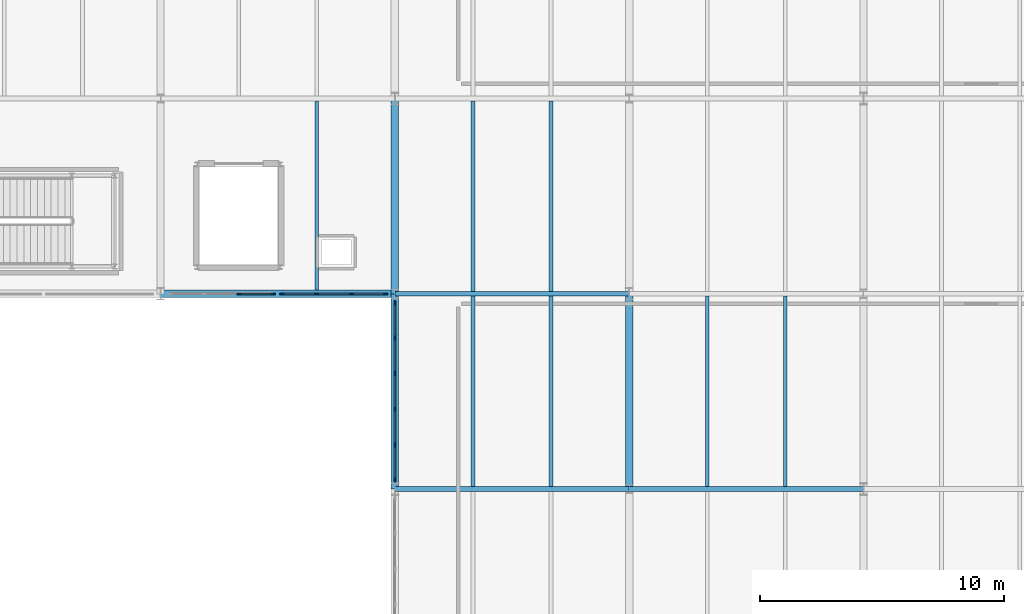
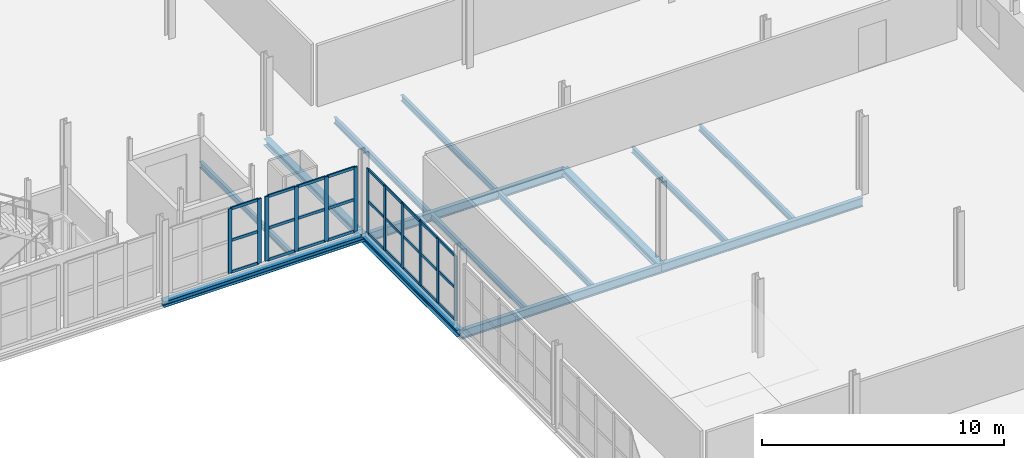
# One storey, part 46 of 78: 39 members, 14 beams, 3 elements without a shape of their own.
"""IFC4 building model written with IfcOpenShell, lengths in metres."""

from ifc_helpers import new_model, si_unit, direction, frame, origin, origin_2d, place, context, subcontext, project, spatial, rectangle, i_section, extrude, material, layer, layer_set, material_profile, profile_set, type_object, element, aggregate, save


model = new_model("IFC4")

# Units and contexts
model_context = context("Model", 3, precision=1e-05, world=origin(), true_north=direction((0.0, 1.0)))
body_context = subcontext(model_context, "Body", "Model", "MODEL_VIEW")
ifc_project = project(units=[si_unit("LENGTHUNIT", "METRE"), si_unit("AREAUNIT", "SQUARE_METRE"), si_unit("VOLUMEUNIT", "CUBIC_METRE"), si_unit("PLANEANGLEUNIT", "RADIAN"), si_unit("MASSUNIT", "GRAM", prefix="KILO")], contexts=[model_context])

# Site, building, storey
site_placement = place(None, origin())
site = spatial("IfcSite", under=ifc_project, at=site_placement, CompositionType="ELEMENT")
building_placement = place(site_placement, origin())
building = spatial("IfcBuilding", under=site, at=building_placement, Name="Alderhovde Museum", CompositionType="ELEMENT")
storey_placement = place(building_placement, frame((0.0, 0.0, 4.5)))
storey = spatial("IfcBuildingStorey", under=building, at=storey_placement, Name="L01", CompositionType="ELEMENT", Elevation=4.5)

# Beams
ifc_material_1 = material(Name="Steel S355J2", Category="steel")
ifc_material_profile_1 = material_profile(ifc_material_1, i_section(OverallWidth=0.300048828125, OverallDepth=0.330078125, WebThickness=0.009521484375, FlangeThickness=0.0166015625, FilletRadius=0.027099609375, at=origin_2d()), Name="HEA 340")
ifc_profile_set_1 = profile_set([ifc_material_profile_1], Name="Steel S355J2")
beam_type_1 = type_object("IfcBeamType", Name="BM-HEA340", PredefinedType="BEAM", material=ifc_profile_set_1)
for number, where, z_axis, x_axis, name in (
    (1, (144.0, 64.0, -0.425048828125), (0.0, 1.0, 0.0), (-1.0, 0.0, 0.0), "L01 Grid Beam X=144.0 (64.0 TO 72.0)"),
    (2, (144.0, 72.0, -0.425048828125), (0.0, 1.0, 0.0), (-1.0, 0.0, 0.0), "L01 Grid Beam X=144.0 (72.0 TO 80.0)"),
    (3, (153.60009765625, 64.0, -0.425048828125), (0.0, 1.0, 0.0), (-1.0, 0.0, 0.0), "L01 Grid Beam X=153.6 (64.0 TO 72.0)"),
):
    element("IfcBeam", number, at=place(storey_placement, frame(where, z_axis=z_axis, x_axis=x_axis)), inside=storey, type_object=beam_type_1, Name=name, PredefinedType="BEAM", context=body_context, shape_type="SweptSolid", body=[
        extrude(i_section(OverallWidth=0.300048828125, OverallDepth=0.330078125, WebThickness=0.009521484375, FlangeThickness=0.0166015625, FilletRadius=0.027099609375, at=origin_2d()), origin(), (0.0, 0.0, 1.0), 8.0),
    ])
ifc_material_2 = material(Name="Steel S355J2", Category="steel")
ifc_material_profile_2 = material_profile(ifc_material_2, i_section(OverallWidth=0.18994140625, OverallDepth=0.449951171875, WebThickness=0.009521484375, FlangeThickness=0.0146484375, FilletRadius=0.02099609375, at=origin_2d()), Name="IPE 450")
ifc_profile_set_2 = profile_set([ifc_material_profile_2], Name="Steel S355J2")
beam_type_2 = type_object("IfcBeamType", Name="BM-IPE450", PredefinedType="BEAM", material=ifc_profile_set_2)
beam_1_placement = place(storey_placement, frame((144.0, 64.0, -0.485107421875), z_axis=(1.0, 0.0, 0.0), x_axis=(0.0, 1.0, 0.0)))
element("IfcBeam", 4, at=beam_1_placement, inside=storey, type_object=beam_type_2, Name="L01 Grid Beam Y=64.0 (144.0 TO 153.6)", PredefinedType="BEAM", context=body_context, shape_type="SweptSolid", body=[
    extrude(i_section(OverallWidth=0.18994140625, OverallDepth=0.449951171875, WebThickness=0.009521484375, FlangeThickness=0.0146484375, FilletRadius=0.02099609375, at=origin_2d()), origin(), (0.0, 0.0, 1.0), 9.60009765625),
])
beam_2_placement = place(storey_placement, frame((153.60009765625, 64.0, -0.485107421875), z_axis=(1.0, 0.0, 0.0), x_axis=(0.0, 1.0, 0.0)))
element("IfcBeam", 5, at=beam_2_placement, inside=storey, type_object=beam_type_2, Name="L01 Grid Beam Y=64.0 (153.6 TO 163.2)", PredefinedType="BEAM", context=body_context, shape_type="SweptSolid", body=[
    extrude(i_section(OverallWidth=0.18994140625, OverallDepth=0.449951171875, WebThickness=0.009521484375, FlangeThickness=0.0146484375, FilletRadius=0.02099609375, at=origin_2d()), origin(), (0.0, 0.0, 1.0), 9.599853515625),
])
beam_3_placement = place(storey_placement, frame((144.0, 72.0, -0.485107421875), z_axis=(1.0, 0.0, 0.0), x_axis=(0.0, 1.0, 0.0)))
element("IfcBeam", 6, at=beam_3_placement, inside=storey, type_object=beam_type_2, Name="L01 Grid Beam Y=72.0 (144.0 TO 153.6)", PredefinedType="BEAM", context=body_context, shape_type="SweptSolid", body=[
    extrude(i_section(OverallWidth=0.18994140625, OverallDepth=0.449951171875, WebThickness=0.009521484375, FlangeThickness=0.0146484375, FilletRadius=0.02099609375, at=origin_2d()), origin(), (0.0, 0.0, 1.0), 9.60009765625),
])

# Curtain wall, members
ifc_material_3 = material(Name="Triple-Glazed Bronze-Anodised Curtain Wall", Category="glass")
ifc_layer_1 = layer(ifc_material_3, 0.179931640625)
ifc_layer_set_1 = layer_set([ifc_layer_1], Name="Triple-Glazed Bronze-Anodised Curtain Wall")
curtain_wall_type_1 = type_object("IfcCurtainWallType", Name="CW-STIC-430x326", PredefinedType="USERDEFINED", material=ifc_layer_set_1)
curtain_wall_1_placement = place(storey_placement, origin())
curtain_wall_1 = element("IfcCurtainWall", 7, at=curtain_wall_1_placement, inside=storey, type_object=curtain_wall_type_1, Name="L01 Stick Curtain Wall 149", ObjectType="STICK CURTAIN WALL", PredefinedType="USERDEFINED")
ifc_material_4 = material(Name="Bronze-Anodised Aluminium EN AW-6063-T6", Category="aluminium")
ifc_material_profile_3 = material_profile(ifc_material_4, rectangle(XDim=0.06494140625, YDim=0.179931640625, at=origin_2d()), Name="MULLION 65x180")
ifc_profile_set_3 = profile_set([ifc_material_profile_3], Name="Bronze-Anodised Aluminium EN AW-6063-T6")
member_type_1 = type_object("IfcMemberType", Name="CWM-65x180", PredefinedType="MULLION", material=ifc_profile_set_3)
member_1_placement = place(storey_placement, frame((137.61669921875, 72.0, 0.0), z_axis=(0.0, 0.0, 1.0), x_axis=(0.0, 1.0, 0.0)))
member_1 = element("IfcMember", 8, at=member_1_placement, type_object=member_type_1, Name="CW34 mullion 3", PredefinedType="MULLION", context=body_context, shape_type="SweptSolid", body=[
    extrude(rectangle(XDim=0.06494140625, YDim=0.179931640625, at=origin_2d()), origin(), (0.0, 0.0, 1.0), 3.260009765625),
])
member_2_placement = place(storey_placement, frame((139.017578125, 72.0, 0.0), z_axis=(0.0, 0.0, 1.0), x_axis=(0.0, 1.0, 0.0)))
member_2 = element("IfcMember", 9, at=member_2_placement, type_object=member_type_1, Name="CW34 mullion 4", PredefinedType="MULLION", context=body_context, shape_type="SweptSolid", body=[
    extrude(rectangle(XDim=0.06494140625, YDim=0.179931640625, at=origin_2d()), origin(), (0.0, 0.0, 1.0), 3.260009765625),
])

curtain_wall_2_placement = place(storey_placement, origin())
curtain_wall_2 = element("IfcCurtainWall", 10, at=curtain_wall_2_placement, inside=storey, type_object=curtain_wall_type_1, Name="L01 Stick Curtain Wall 150", ObjectType="STICK CURTAIN WALL", PredefinedType="USERDEFINED")
member_3_placement = place(storey_placement, frame((139.382568359375, 72.0, 0.0), z_axis=(0.0, 0.0, 1.0), x_axis=(0.0, 1.0, 0.0)))
member_3 = element("IfcMember", 11, at=member_3_placement, type_object=member_type_1, Name="CW34 mullion 1", PredefinedType="MULLION", context=body_context, shape_type="SweptSolid", body=[
    extrude(rectangle(XDim=0.06494140625, YDim=0.179931640625, at=origin_2d()), origin(), (0.0, 0.0, 1.0), 3.260009765625),
])
member_4_placement = place(storey_placement, frame((140.783447265625, 72.0, 0.0), z_axis=(0.0, 0.0, 1.0), x_axis=(0.0, 1.0, 0.0)))
member_4 = element("IfcMember", 12, at=member_4_placement, type_object=member_type_1, Name="CW34 mullion 2", PredefinedType="MULLION", context=body_context, shape_type="SweptSolid", body=[
    extrude(rectangle(XDim=0.06494140625, YDim=0.179931640625, at=origin_2d()), origin(), (0.0, 0.0, 1.0), 3.260009765625),
])
member_5_placement = place(storey_placement, frame((142.216552734375, 72.0, 0.0), z_axis=(0.0, 0.0, 1.0), x_axis=(0.0, 1.0, 0.0)))
member_5 = element("IfcMember", 13, at=member_5_placement, type_object=member_type_1, Name="CW34 mullion 3", PredefinedType="MULLION", context=body_context, shape_type="SweptSolid", body=[
    extrude(rectangle(XDim=0.06494140625, YDim=0.179931640625, at=origin_2d()), origin(), (0.0, 0.0, 1.0), 3.260009765625),
])
member_6_placement = place(storey_placement, frame((143.617431640625, 72.0, 0.0), z_axis=(0.0, 0.0, 1.0), x_axis=(0.0, 1.0, 0.0)))
member_6 = element("IfcMember", 14, at=member_6_placement, type_object=member_type_1, Name="CW34 mullion 4", PredefinedType="MULLION", context=body_context, shape_type="SweptSolid", body=[
    extrude(rectangle(XDim=0.06494140625, YDim=0.179931640625, at=origin_2d()), origin(), (0.0, 0.0, 1.0), 3.260009765625),
])

ifc_material_5 = material(Name="Triple-Glazed Bronze-Anodised Curtain Wall", Category="glass")
ifc_layer_2 = layer(ifc_material_5, 0.179931640625)
ifc_layer_set_2 = layer_set([ifc_layer_2], Name="Triple-Glazed Bronze-Anodised Curtain Wall")
curtain_wall_type_2 = type_object("IfcCurtainWallType", Name="CW-STIC-730x326", PredefinedType="USERDEFINED", material=ifc_layer_set_2)
curtain_wall_3_placement = place(storey_placement, origin())
curtain_wall_3 = element("IfcCurtainWall", 15, at=curtain_wall_3_placement, inside=storey, type_object=curtain_wall_type_2, Name="L01 Stick Curtain Wall 154", ObjectType="STICK CURTAIN WALL", PredefinedType="USERDEFINED")
member_7_placement = place(storey_placement, frame((144.0, 64.382568359375, 0.0), z_axis=(0.0, 0.0, 1.0), x_axis=(-1.0, 0.0, 0.0)))
member_7 = element("IfcMember", 16, at=member_7_placement, type_object=member_type_1, Name="CW36 mullion 1", PredefinedType="MULLION", context=body_context, shape_type="SweptSolid", body=[
    extrude(rectangle(XDim=0.06494140625, YDim=0.179931640625, at=origin_2d()), origin(), (0.0, 0.0, 1.0), 3.260009765625),
])
member_8_placement = place(storey_placement, frame((144.0, 65.81005859375, 0.0), z_axis=(0.0, 0.0, 1.0), x_axis=(-1.0, 0.0, 0.0)))
member_8 = element("IfcMember", 17, at=member_8_placement, type_object=member_type_1, Name="CW36 mullion 2", PredefinedType="MULLION", context=body_context, shape_type="SweptSolid", body=[
    extrude(rectangle(XDim=0.06494140625, YDim=0.179931640625, at=origin_2d()), origin(), (0.0, 0.0, 1.0), 3.260009765625),
])
member_9_placement = place(storey_placement, frame((144.0, 67.27001953125, 0.0), z_axis=(0.0, 0.0, 1.0), x_axis=(-1.0, 0.0, 0.0)))
member_9 = element("IfcMember", 18, at=member_9_placement, type_object=member_type_1, Name="CW36 mullion 3", PredefinedType="MULLION", context=body_context, shape_type="SweptSolid", body=[
    extrude(rectangle(XDim=0.06494140625, YDim=0.179931640625, at=origin_2d()), origin(), (0.0, 0.0, 1.0), 3.260009765625),
])
member_10_placement = place(storey_placement, frame((144.0, 68.72998046875, 0.0), z_axis=(0.0, 0.0, 1.0), x_axis=(-1.0, 0.0, 0.0)))
member_10 = element("IfcMember", 19, at=member_10_placement, type_object=member_type_1, Name="CW36 mullion 4", PredefinedType="MULLION", context=body_context, shape_type="SweptSolid", body=[
    extrude(rectangle(XDim=0.06494140625, YDim=0.179931640625, at=origin_2d()), origin(), (0.0, 0.0, 1.0), 3.260009765625),
])
member_11_placement = place(storey_placement, frame((144.0, 70.18994140625, 0.0), z_axis=(0.0, 0.0, 1.0), x_axis=(-1.0, 0.0, 0.0)))
member_11 = element("IfcMember", 20, at=member_11_placement, type_object=member_type_1, Name="CW36 mullion 5", PredefinedType="MULLION", context=body_context, shape_type="SweptSolid", body=[
    extrude(rectangle(XDim=0.06494140625, YDim=0.179931640625, at=origin_2d()), origin(), (0.0, 0.0, 1.0), 3.260009765625),
])
member_12_placement = place(storey_placement, frame((144.0, 71.617431640625, 0.0), z_axis=(0.0, 0.0, 1.0), x_axis=(-1.0, 0.0, 0.0)))
member_12 = element("IfcMember", 21, at=member_12_placement, type_object=member_type_1, Name="CW36 mullion 6", PredefinedType="MULLION", context=body_context, shape_type="SweptSolid", body=[
    extrude(rectangle(XDim=0.06494140625, YDim=0.179931640625, at=origin_2d()), origin(), (0.0, 0.0, 1.0), 3.260009765625),
])

# Member
ifc_material_6 = material(Name="Bronze-Anodised Aluminium EN AW-6063-T6", Category="aluminium")
ifc_material_profile_4 = material_profile(ifc_material_6, rectangle(XDim=0.06494140625, YDim=0.139892578125, at=origin_2d()), Name="TRANSOM 65x140")
ifc_profile_set_4 = profile_set([ifc_material_profile_4], Name="Bronze-Anodised Aluminium EN AW-6063-T6")
member_type_2 = type_object("IfcMemberType", Name="CWT-65x140", PredefinedType="USERDEFINED", material=ifc_profile_set_4)
member_13_placement = place(storey_placement, frame((137.649169921875, 72.0, 0.032470703125), z_axis=(1.0, 0.0, 0.0), x_axis=(0.0, 1.0, 0.0)))
member_13 = element("IfcMember", 22, at=member_13_placement, type_object=member_type_2, Name="CW34 transom 3.1", ObjectType="TRANSOM", PredefinedType="USERDEFINED", context=body_context, shape_type="SweptSolid", body=[
    extrude(rectangle(XDim=0.06494140625, YDim=0.139892578125, at=origin_2d()), origin(), (0.0, 0.0, 1.0), 1.3359375),
])

member_14_placement = place(storey_placement, frame((137.649169921875, 72.0, 1.6298828125), z_axis=(1.0, 0.0, 0.0), x_axis=(0.0, 1.0, 0.0)))
member_14 = element("IfcMember", 23, at=member_14_placement, type_object=member_type_2, Name="CW34 transom 3.2", ObjectType="TRANSOM", PredefinedType="USERDEFINED", context=body_context, shape_type="SweptSolid", body=[
    extrude(rectangle(XDim=0.06494140625, YDim=0.139892578125, at=origin_2d()), origin(), (0.0, 0.0, 1.0), 1.3359375),
])

member_15_placement = place(storey_placement, frame((137.649169921875, 72.0, 3.2275390625), z_axis=(1.0, 0.0, 0.0), x_axis=(0.0, 1.0, 0.0)))
member_15 = element("IfcMember", 24, at=member_15_placement, type_object=member_type_2, Name="CW34 transom 3.3", ObjectType="TRANSOM", PredefinedType="USERDEFINED", context=body_context, shape_type="SweptSolid", body=[
    extrude(rectangle(XDim=0.06494140625, YDim=0.139892578125, at=origin_2d()), origin(), (0.0, 0.0, 1.0), 1.3359375),
])

aggregate(curtain_wall_1, [member_1, member_2, member_13, member_14, member_15])

member_16_placement = place(storey_placement, frame((139.4150390625, 72.0, 0.032470703125), z_axis=(1.0, 0.0, 0.0), x_axis=(0.0, 1.0, 0.0)))
member_16 = element("IfcMember", 25, at=member_16_placement, type_object=member_type_2, Name="CW34 transom 1.1", ObjectType="TRANSOM", PredefinedType="USERDEFINED", context=body_context, shape_type="SweptSolid", body=[
    extrude(rectangle(XDim=0.06494140625, YDim=0.139892578125, at=origin_2d()), origin(), (0.0, 0.0, 1.0), 1.335693359375),
])

member_17_placement = place(storey_placement, frame((139.4150390625, 72.0, 1.6298828125), z_axis=(1.0, 0.0, 0.0), x_axis=(0.0, 1.0, 0.0)))
member_17 = element("IfcMember", 26, at=member_17_placement, type_object=member_type_2, Name="CW34 transom 1.2", ObjectType="TRANSOM", PredefinedType="USERDEFINED", context=body_context, shape_type="SweptSolid", body=[
    extrude(rectangle(XDim=0.06494140625, YDim=0.139892578125, at=origin_2d()), origin(), (0.0, 0.0, 1.0), 1.335693359375),
])

member_18_placement = place(storey_placement, frame((139.4150390625, 72.0, 3.2275390625), z_axis=(1.0, 0.0, 0.0), x_axis=(0.0, 1.0, 0.0)))
member_18 = element("IfcMember", 27, at=member_18_placement, type_object=member_type_2, Name="CW34 transom 1.3", ObjectType="TRANSOM", PredefinedType="USERDEFINED", context=body_context, shape_type="SweptSolid", body=[
    extrude(rectangle(XDim=0.06494140625, YDim=0.139892578125, at=origin_2d()), origin(), (0.0, 0.0, 1.0), 1.335693359375),
])

member_19_placement = place(storey_placement, frame((140.81591796875, 72.0, 0.032470703125), z_axis=(1.0, 0.0, 0.0), x_axis=(0.0, 1.0, 0.0)))
member_19 = element("IfcMember", 28, at=member_19_placement, type_object=member_type_2, Name="CW34 transom 2.1", ObjectType="TRANSOM", PredefinedType="USERDEFINED", context=body_context, shape_type="SweptSolid", body=[
    extrude(rectangle(XDim=0.06494140625, YDim=0.139892578125, at=origin_2d()), origin(), (0.0, 0.0, 1.0), 1.3681640625),
])

member_20_placement = place(storey_placement, frame((140.81591796875, 72.0, 1.6298828125), z_axis=(1.0, 0.0, 0.0), x_axis=(0.0, 1.0, 0.0)))
member_20 = element("IfcMember", 29, at=member_20_placement, type_object=member_type_2, Name="CW34 transom 2.2", ObjectType="TRANSOM", PredefinedType="USERDEFINED", context=body_context, shape_type="SweptSolid", body=[
    extrude(rectangle(XDim=0.06494140625, YDim=0.139892578125, at=origin_2d()), origin(), (0.0, 0.0, 1.0), 1.3681640625),
])

member_21_placement = place(storey_placement, frame((140.81591796875, 72.0, 3.2275390625), z_axis=(1.0, 0.0, 0.0), x_axis=(0.0, 1.0, 0.0)))
member_21 = element("IfcMember", 30, at=member_21_placement, type_object=member_type_2, Name="CW34 transom 2.3", ObjectType="TRANSOM", PredefinedType="USERDEFINED", context=body_context, shape_type="SweptSolid", body=[
    extrude(rectangle(XDim=0.06494140625, YDim=0.139892578125, at=origin_2d()), origin(), (0.0, 0.0, 1.0), 1.3681640625),
])

member_22_placement = place(storey_placement, frame((142.249267578125, 72.0, 0.032470703125), z_axis=(1.0, 0.0, 0.0), x_axis=(0.0, 1.0, 0.0)))
member_22 = element("IfcMember", 31, at=member_22_placement, type_object=member_type_2, Name="CW34 transom 3.1", ObjectType="TRANSOM", PredefinedType="USERDEFINED", context=body_context, shape_type="SweptSolid", body=[
    extrude(rectangle(XDim=0.06494140625, YDim=0.139892578125, at=origin_2d()), origin(), (0.0, 0.0, 1.0), 1.335693359375),
])

member_23_placement = place(storey_placement, frame((142.249267578125, 72.0, 1.6298828125), z_axis=(1.0, 0.0, 0.0), x_axis=(0.0, 1.0, 0.0)))
member_23 = element("IfcMember", 32, at=member_23_placement, type_object=member_type_2, Name="CW34 transom 3.2", ObjectType="TRANSOM", PredefinedType="USERDEFINED", context=body_context, shape_type="SweptSolid", body=[
    extrude(rectangle(XDim=0.06494140625, YDim=0.139892578125, at=origin_2d()), origin(), (0.0, 0.0, 1.0), 1.335693359375),
])

member_24_placement = place(storey_placement, frame((142.249267578125, 72.0, 3.2275390625), z_axis=(1.0, 0.0, 0.0), x_axis=(0.0, 1.0, 0.0)))
member_24 = element("IfcMember", 33, at=member_24_placement, type_object=member_type_2, Name="CW34 transom 3.3", ObjectType="TRANSOM", PredefinedType="USERDEFINED", context=body_context, shape_type="SweptSolid", body=[
    extrude(rectangle(XDim=0.06494140625, YDim=0.139892578125, at=origin_2d()), origin(), (0.0, 0.0, 1.0), 1.335693359375),
])

aggregate(curtain_wall_2, [member_3, member_4, member_5, member_6, member_16, member_17, member_18, member_19, member_20, member_21, member_22, member_23, member_24])

member_25_placement = place(storey_placement, frame((144.0, 64.4150390625, 0.032470703125), z_axis=(0.0, 1.0, 0.0), x_axis=(-1.0, 0.0, 0.0)))
member_25 = element("IfcMember", 34, at=member_25_placement, type_object=member_type_2, Name="CW36 transom 1.1", ObjectType="TRANSOM", PredefinedType="USERDEFINED", context=body_context, shape_type="SweptSolid", body=[
    extrude(rectangle(XDim=0.06494140625, YDim=0.139892578125, at=origin_2d()), origin(), (0.0, 0.0, 1.0), 1.362548828125),
])

member_26_placement = place(storey_placement, frame((144.0, 64.4150390625, 1.6298828125), z_axis=(0.0, 1.0, 0.0), x_axis=(-1.0, 0.0, 0.0)))
member_26 = element("IfcMember", 35, at=member_26_placement, type_object=member_type_2, Name="CW36 transom 1.2", ObjectType="TRANSOM", PredefinedType="USERDEFINED", context=body_context, shape_type="SweptSolid", body=[
    extrude(rectangle(XDim=0.06494140625, YDim=0.139892578125, at=origin_2d()), origin(), (0.0, 0.0, 1.0), 1.362548828125),
])

member_27_placement = place(storey_placement, frame((144.0, 64.4150390625, 3.2275390625), z_axis=(0.0, 1.0, 0.0), x_axis=(-1.0, 0.0, 0.0)))
member_27 = element("IfcMember", 36, at=member_27_placement, type_object=member_type_2, Name="CW36 transom 1.3", ObjectType="TRANSOM", PredefinedType="USERDEFINED", context=body_context, shape_type="SweptSolid", body=[
    extrude(rectangle(XDim=0.06494140625, YDim=0.139892578125, at=origin_2d()), origin(), (0.0, 0.0, 1.0), 1.362548828125),
])

member_28_placement = place(storey_placement, frame((144.0, 65.842529296875, 0.032470703125), z_axis=(0.0, 1.0, 0.0), x_axis=(-1.0, 0.0, 0.0)))
member_28 = element("IfcMember", 37, at=member_28_placement, type_object=member_type_2, Name="CW36 transom 2.1", ObjectType="TRANSOM", PredefinedType="USERDEFINED", context=body_context, shape_type="SweptSolid", body=[
    extrude(rectangle(XDim=0.06494140625, YDim=0.139892578125, at=origin_2d()), origin(), (0.0, 0.0, 1.0), 1.39501953125),
])

member_29_placement = place(storey_placement, frame((144.0, 65.842529296875, 1.6298828125), z_axis=(0.0, 1.0, 0.0), x_axis=(-1.0, 0.0, 0.0)))
member_29 = element("IfcMember", 38, at=member_29_placement, type_object=member_type_2, Name="CW36 transom 2.2", ObjectType="TRANSOM", PredefinedType="USERDEFINED", context=body_context, shape_type="SweptSolid", body=[
    extrude(rectangle(XDim=0.06494140625, YDim=0.139892578125, at=origin_2d()), origin(), (0.0, 0.0, 1.0), 1.39501953125),
])

member_30_placement = place(storey_placement, frame((144.0, 65.842529296875, 3.2275390625), z_axis=(0.0, 1.0, 0.0), x_axis=(-1.0, 0.0, 0.0)))
member_30 = element("IfcMember", 39, at=member_30_placement, type_object=member_type_2, Name="CW36 transom 2.3", ObjectType="TRANSOM", PredefinedType="USERDEFINED", context=body_context, shape_type="SweptSolid", body=[
    extrude(rectangle(XDim=0.06494140625, YDim=0.139892578125, at=origin_2d()), origin(), (0.0, 0.0, 1.0), 1.39501953125),
])

member_31_placement = place(storey_placement, frame((144.0, 67.302490234375, 0.032470703125), z_axis=(0.0, 1.0, 0.0), x_axis=(-1.0, 0.0, 0.0)))
member_31 = element("IfcMember", 40, at=member_31_placement, type_object=member_type_2, Name="CW36 transom 3.1", ObjectType="TRANSOM", PredefinedType="USERDEFINED", context=body_context, shape_type="SweptSolid", body=[
    extrude(rectangle(XDim=0.06494140625, YDim=0.139892578125, at=origin_2d()), origin(), (0.0, 0.0, 1.0), 1.39501953125),
])

member_32_placement = place(storey_placement, frame((144.0, 67.302490234375, 1.6298828125), z_axis=(0.0, 1.0, 0.0), x_axis=(-1.0, 0.0, 0.0)))
member_32 = element("IfcMember", 41, at=member_32_placement, type_object=member_type_2, Name="CW36 transom 3.2", ObjectType="TRANSOM", PredefinedType="USERDEFINED", context=body_context, shape_type="SweptSolid", body=[
    extrude(rectangle(XDim=0.06494140625, YDim=0.139892578125, at=origin_2d()), origin(), (0.0, 0.0, 1.0), 1.39501953125),
])

member_33_placement = place(storey_placement, frame((144.0, 67.302490234375, 3.2275390625), z_axis=(0.0, 1.0, 0.0), x_axis=(-1.0, 0.0, 0.0)))
member_33 = element("IfcMember", 42, at=member_33_placement, type_object=member_type_2, Name="CW36 transom 3.3", ObjectType="TRANSOM", PredefinedType="USERDEFINED", context=body_context, shape_type="SweptSolid", body=[
    extrude(rectangle(XDim=0.06494140625, YDim=0.139892578125, at=origin_2d()), origin(), (0.0, 0.0, 1.0), 1.39501953125),
])

member_34_placement = place(storey_placement, frame((144.0, 68.762451171875, 0.032470703125), z_axis=(0.0, 1.0, 0.0), x_axis=(-1.0, 0.0, 0.0)))
member_34 = element("IfcMember", 43, at=member_34_placement, type_object=member_type_2, Name="CW36 transom 4.1", ObjectType="TRANSOM", PredefinedType="USERDEFINED", context=body_context, shape_type="SweptSolid", body=[
    extrude(rectangle(XDim=0.06494140625, YDim=0.139892578125, at=origin_2d()), origin(), (0.0, 0.0, 1.0), 1.39501953125),
])

member_35_placement = place(storey_placement, frame((144.0, 68.762451171875, 1.6298828125), z_axis=(0.0, 1.0, 0.0), x_axis=(-1.0, 0.0, 0.0)))
member_35 = element("IfcMember", 44, at=member_35_placement, type_object=member_type_2, Name="CW36 transom 4.2", ObjectType="TRANSOM", PredefinedType="USERDEFINED", context=body_context, shape_type="SweptSolid", body=[
    extrude(rectangle(XDim=0.06494140625, YDim=0.139892578125, at=origin_2d()), origin(), (0.0, 0.0, 1.0), 1.39501953125),
])

member_36_placement = place(storey_placement, frame((144.0, 68.762451171875, 3.2275390625), z_axis=(0.0, 1.0, 0.0), x_axis=(-1.0, 0.0, 0.0)))
member_36 = element("IfcMember", 45, at=member_36_placement, type_object=member_type_2, Name="CW36 transom 4.3", ObjectType="TRANSOM", PredefinedType="USERDEFINED", context=body_context, shape_type="SweptSolid", body=[
    extrude(rectangle(XDim=0.06494140625, YDim=0.139892578125, at=origin_2d()), origin(), (0.0, 0.0, 1.0), 1.39501953125),
])

member_37_placement = place(storey_placement, frame((144.0, 70.222412109375, 0.032470703125), z_axis=(0.0, 1.0, 0.0), x_axis=(-1.0, 0.0, 0.0)))
member_37 = element("IfcMember", 46, at=member_37_placement, type_object=member_type_2, Name="CW36 transom 5.1", ObjectType="TRANSOM", PredefinedType="USERDEFINED", context=body_context, shape_type="SweptSolid", body=[
    extrude(rectangle(XDim=0.06494140625, YDim=0.139892578125, at=origin_2d()), origin(), (0.0, 0.0, 1.0), 1.362548828125),
])

member_38_placement = place(storey_placement, frame((144.0, 70.222412109375, 1.6298828125), z_axis=(0.0, 1.0, 0.0), x_axis=(-1.0, 0.0, 0.0)))
member_38 = element("IfcMember", 47, at=member_38_placement, type_object=member_type_2, Name="CW36 transom 5.2", ObjectType="TRANSOM", PredefinedType="USERDEFINED", context=body_context, shape_type="SweptSolid", body=[
    extrude(rectangle(XDim=0.06494140625, YDim=0.139892578125, at=origin_2d()), origin(), (0.0, 0.0, 1.0), 1.362548828125),
])

member_39_placement = place(storey_placement, frame((144.0, 70.222412109375, 3.2275390625), z_axis=(0.0, 1.0, 0.0), x_axis=(-1.0, 0.0, 0.0)))
member_39 = element("IfcMember", 48, at=member_39_placement, type_object=member_type_2, Name="CW36 transom 5.3", ObjectType="TRANSOM", PredefinedType="USERDEFINED", context=body_context, shape_type="SweptSolid", body=[
    extrude(rectangle(XDim=0.06494140625, YDim=0.139892578125, at=origin_2d()), origin(), (0.0, 0.0, 1.0), 1.362548828125),
])

aggregate(curtain_wall_3, [member_7, member_8, member_9, member_10, member_11, member_12, member_25, member_26, member_27, member_28, member_29, member_30, member_31, member_32, member_33, member_34, member_35, member_36, member_37, member_38, member_39])

# Beams
ifc_material_7 = material(Name="Steel S355J2", Category="steel")
ifc_material_profile_5 = material_profile(ifc_material_7, i_section(OverallWidth=0.14990234375, OverallDepth=0.300048828125, WebThickness=0.007080078125, FlangeThickness=0.0107421875, FilletRadius=0.014892578125, at=origin_2d()), Name="IPE 300")
ifc_profile_set_5 = profile_set([ifc_material_profile_5], Name="Steel S355J2")
beam_type_3 = type_object("IfcBeamType", Name="JST-IPE300", PredefinedType="JOIST", material=ifc_profile_set_5)
beam_4_placement = place(storey_placement, frame((140.800048828125, 72.14990234375, -0.409912109375), z_axis=(0.0, 1.0, 0.0), x_axis=(-1.0, 0.0, 0.0)))
element("IfcBeam", 49, at=beam_4_placement, inside=storey, type_object=beam_type_3, Name="L01 Composite Joist X=140.8 (72.0 TO 80.0)", PredefinedType="JOIST", context=body_context, shape_type="SweptSolid", body=[
    extrude(i_section(OverallWidth=0.14990234375, OverallDepth=0.300048828125, WebThickness=0.007080078125, FlangeThickness=0.0107421875, FilletRadius=0.014892578125, at=origin_2d()), origin(), (0.0, 0.0, 1.0), 7.755126953125),
])
for number, where, z_axis, x_axis, name in (
    (50, (147.199951171875, 64.094970703125, -0.409912109375), (0.0, 1.0, 0.0), (-1.0, 0.0, 0.0), "L01 Composite Joist X=147.2 (64.0 TO 72.0)"),
    (51, (150.39990234375, 64.094970703125, -0.409912109375), (0.0, 1.0, 0.0), (-1.0, 0.0, 0.0), "L01 Composite Joist X=150.4 (64.0 TO 72.0)"),
    (52, (147.199951171875, 72.094970703125, -0.409912109375), (0.0, 1.0, 0.0), (-1.0, 0.0, 0.0), "L01 Composite Joist X=147.2 (72.0 TO 80.0)"),
    (53, (150.39990234375, 72.094970703125, -0.409912109375), (0.0, 1.0, 0.0), (-1.0, 0.0, 0.0), "L01 Composite Joist X=150.4 (72.0 TO 80.0)"),
    (54, (156.800048828125, 64.094970703125, -0.409912109375), (0.0, 1.0, 0.0), (-1.0, 0.0, 0.0), "L01 Composite Joist X=156.8 (64.0 TO 72.0)"),
    (55, (160.0, 64.094970703125, -0.409912109375), (0.0, 1.0, 0.0), (-1.0, 0.0, 0.0), "L01 Composite Joist X=160.0 (64.0 TO 72.0)"),
):
    element("IfcBeam", number, at=place(storey_placement, frame(where, z_axis=z_axis, x_axis=x_axis)), inside=storey, type_object=beam_type_3, Name=name, PredefinedType="JOIST", context=body_context, shape_type="SweptSolid", body=[
        extrude(i_section(OverallWidth=0.14990234375, OverallDepth=0.300048828125, WebThickness=0.007080078125, FlangeThickness=0.0107421875, FilletRadius=0.014892578125, at=origin_2d()), origin(), (0.0, 0.0, 1.0), 7.81005859375),
    ])
ifc_material_8 = material(Name="Steel S355J2", Category="steel")
ifc_material_profile_6 = material_profile(ifc_material_8, i_section(OverallWidth=0.300048828125, OverallDepth=0.2900390625, WebThickness=0.008544921875, FlangeThickness=0.013916015625, FilletRadius=0.027099609375, at=origin_2d()), Name="HEA 300")
ifc_profile_set_6 = profile_set([ifc_material_profile_6], Name="Steel S355J2")
beam_type_4 = type_object("IfcBeamType", Name="SPD-HEA300", PredefinedType="SPANDREL", material=ifc_profile_set_6)
beam_5_placement = place(storey_placement, frame((134.39990234375, 72.0, -0.405029296875), z_axis=(1.0, 0.0, 0.0), x_axis=(0.0, 1.0, 0.0)))
element("IfcBeam", 56, at=beam_5_placement, inside=storey, type_object=beam_type_4, Name="L01 Grid Beam Y=72.0 (134.4 TO 144.0)", PredefinedType="SPANDREL", context=body_context, shape_type="SweptSolid", body=[
    extrude(i_section(OverallWidth=0.300048828125, OverallDepth=0.2900390625, WebThickness=0.008544921875, FlangeThickness=0.013916015625, FilletRadius=0.027099609375, at=origin_2d()), origin(), (0.0, 0.0, 1.0), 9.60009765625),
])

save(model, "model.ifc")
